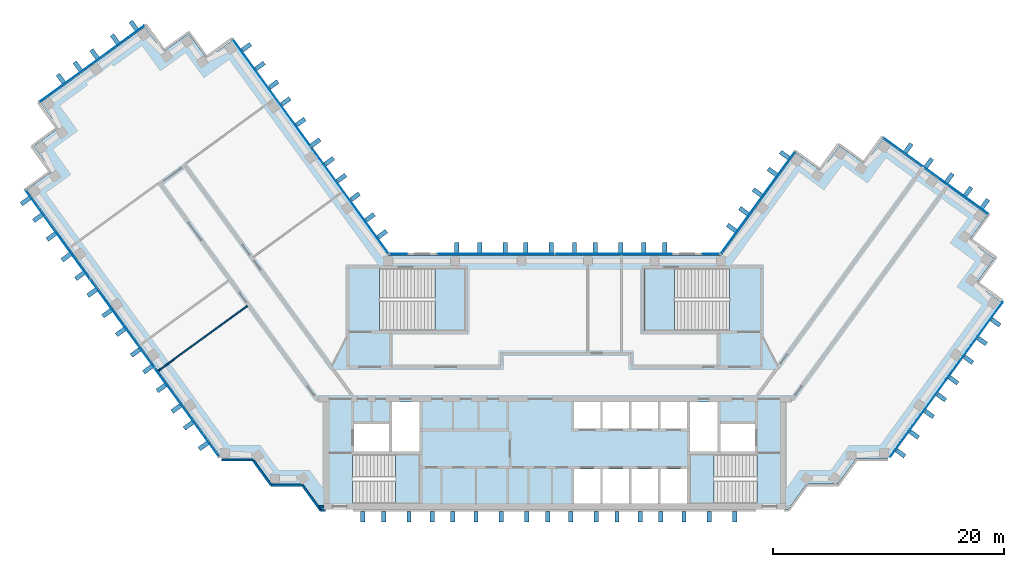
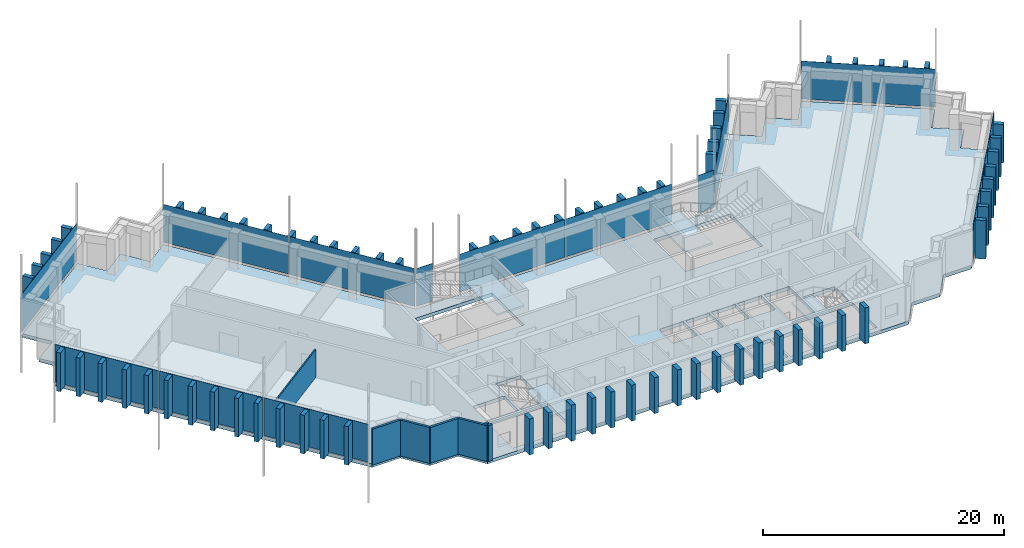
"""IFC4 building model written with IfcOpenShell, lengths in metres."""

from ifc_helpers import new_model, si_unit, direction, frame, frame_2d, origin, origin_2d, place, context, subcontext, project, spatial, polyline, rectangle, outline, extrude, material, layer, layer_set, type_object, element, aggregate, save


model = new_model("IFC4")

# Units and contexts
model_context = context("Model", 3, precision=1e-05, world=origin(), true_north=direction((0.0, 1.0)))
body_context = subcontext(model_context, "Body", "Model", "MODEL_VIEW")
ifc_project = project(units=[si_unit("LENGTHUNIT", "METRE"), si_unit("AREAUNIT", "SQUARE_METRE"), si_unit("VOLUMEUNIT", "CUBIC_METRE"), si_unit("PLANEANGLEUNIT", "RADIAN"), si_unit("MASSUNIT", "GRAM", prefix="KILO")], contexts=[model_context])

# Site, building, storey
site_placement = place(None, origin())
site = spatial("IfcSite", under=ifc_project, at=site_placement, CompositionType="ELEMENT")
building_placement = place(site_placement, origin())
building = spatial("IfcBuilding", under=site, at=building_placement, Name="Quipu Civic Tower", CompositionType="ELEMENT")
storey_1_placement = place(building_placement, frame((0.0, 0.0, 222.0)))
storey_1 = spatial("IfcBuildingStorey", under=building, at=storey_1_placement, Name="L52", CompositionType="ELEMENT", Elevation=222.0)

# Slab
ifc_material_1 = material(Name="Concrete C40/50", Category="concrete")
ifc_layer_1 = layer(ifc_material_1, 0.35009765625)
ifc_layer_set_1 = layer_set([ifc_layer_1], Name="Concrete C40/50")
slab_type_1 = type_object("IfcSlabType", Name="Floor slab 350 C40/50", PredefinedType="FLOOR", material=ifc_layer_set_1)
slab_1_placement = place(storey_1_placement, frame((0.0, 0.0, -0.35009765625)))
element("IfcSlab", 1, at=slab_1_placement, inside=storey_1, type_object=slab_type_1, Name="Floor slab L52", PredefinedType="FLOOR", context=body_context, shape_type="SweptSolid", body=[
    extrude(outline(polyline([(20.860107421875, 19.89501953125), (23.0400390625, 18.31005859375), (24.6298828125, 20.4951171875), (26.81494140625, 18.905029296875), (28.39990234375, 21.090087890625), (37.4599609375, 14.5048828125), (35.875, 12.320068359375), (38.06005859375, 10.735107421875), (36.469970703125, 8.550048828125), (38.655029296875, 6.965087890625), (28.780029296875, -6.6298828125), (26.080078125, -6.6298828125), (24.489990234375, -8.81494140625), (21.7900390625, -8.81494140625), (20.205078125, -11.0), (-20.205078125, -11.0), (-21.7900390625, -8.81494140625), (-24.489990234375, -8.81494140625), (-26.080078125, -6.6298828125), (-28.780029296875, -6.6298828125), (-45.7099609375, 16.669921875), (-43.52490234375, 18.260009765625), (-45.114990234375, 20.445068359375), (-42.929931640625, 22.030029296875), (-44.514892578125, 24.215087890625), (-35.455078125, 30.800048828125), (-33.864990234375, 28.614990234375), (-31.68505859375, 30.199951171875), (-30.094970703125, 28.014892578125), (-27.909912109375, 29.60498046875), (-14.39501953125, 11.0), (14.39501953125, 11.0), (20.860107421875, 19.89501953125)]), holes=[polyline([(1.64990234375, -7.5), (1.64990234375, -10.5), (3.949951171875, -10.5), (3.949951171875, -7.5), (1.64990234375, -7.5)]), polyline([(4.14990234375, -7.5), (4.14990234375, -10.5), (6.449951171875, -10.5), (6.449951171875, -7.5), (4.14990234375, -7.5)]), polyline([(-11.705078125, -6.2548828125), (-17.4951171875, -6.2548828125), (-17.4951171875, -10.4951171875), (-11.705078125, -10.4951171875), (-11.705078125, -6.2548828125)]), polyline([(-17.35009765625, -3.60009765625), (-17.35009765625, -6.0), (-14.35009765625, -6.0), (-14.35009765625, -3.60009765625), (-17.35009765625, -3.60009765625)]), polyline([(-14.10009765625, -1.699951171875), (-14.10009765625, -6.0), (-11.699951171875, -6.0), (-11.699951171875, -1.699951171875), (-14.10009765625, -1.699951171875)]), polyline([(1.64990234375, -1.699951171875), (1.64990234375, -4.0), (3.949951171875, -4.0), (3.949951171875, -1.699951171875), (1.64990234375, -1.699951171875)]), polyline([(4.14990234375, -1.699951171875), (4.14990234375, -4.0), (6.449951171875, -4.0), (6.449951171875, -1.699951171875), (4.14990234375, -1.699951171875)]), polyline([(-7.7548828125, 9.844970703125), (-15.14501953125, 9.844970703125), (-15.14501953125, 4.5048828125), (-7.7548828125, 4.5048828125), (-7.7548828125, 9.844970703125)]), polyline([(6.64990234375, -7.5), (6.64990234375, -10.5), (8.949951171875, -10.5), (8.949951171875, -7.5), (6.64990234375, -7.5)]), polyline([(9.14990234375, -7.5), (9.14990234375, -10.5), (11.449951171875, -10.5), (11.449951171875, -7.5), (9.14990234375, -7.5)]), polyline([(11.705078125, -10.4951171875), (17.4951171875, -10.4951171875), (17.4951171875, -6.2548828125), (11.705078125, -6.2548828125), (11.705078125, -10.4951171875)]), polyline([(14.35009765625, -3.60009765625), (14.35009765625, -6.0), (17.35009765625, -6.0), (17.35009765625, -3.60009765625), (14.35009765625, -3.60009765625)]), polyline([(11.699951171875, -1.699951171875), (11.699951171875, -6.0), (14.10009765625, -6.0), (14.10009765625, -1.699951171875), (11.699951171875, -1.699951171875)]), polyline([(6.64990234375, -1.699951171875), (6.64990234375, -4.0), (8.949951171875, -4.0), (8.949951171875, -1.699951171875), (6.64990234375, -1.699951171875)]), polyline([(9.14990234375, -1.699951171875), (9.14990234375, -4.0), (11.449951171875, -4.0), (11.449951171875, -1.699951171875), (9.14990234375, -1.699951171875)]), polyline([(7.7548828125, 4.5048828125), (15.14501953125, 4.5048828125), (15.14501953125, 9.844970703125), (7.7548828125, 9.844970703125), (7.7548828125, 4.5048828125)])]), origin(), (0.0, 0.0, 1.0), 0.35009765625),
])

# Curtain wall, plates
ifc_material_2 = material(Name="Insulated glass unit", Category="glass")
curtain_wall_type = type_object("IfcCurtainWallType", Name="Office curtain wall CW1", PredefinedType="NOTDEFINED", material=ifc_material_2)
curtain_wall_1_placement = place(storey_1_placement, origin())
curtain_wall_1 = element("IfcCurtainWall", 2, at=curtain_wall_1_placement, inside=storey_1, type_object=curtain_wall_type, Name="Office curtain wall CW1 L51 run 1", PredefinedType="NOTDEFINED")
ifc_material_3 = material(Name="Insulated glass unit", Category="glass")
ifc_layer_2 = layer(ifc_material_3, 0.028076171875)
ifc_layer_set_2 = layer_set([ifc_layer_2], Name="Insulated glass unit")
plate_type_1 = type_object("IfcPlateType", Name="Glass panel CW1", PredefinedType="CURTAIN_PANEL", material=ifc_layer_set_2)
plate_1_placement = place(storey_1_placement, frame((-17.7421875, 15.777099609375, 0.16015625), z_axis=(0.0, 0.0, 1.0), x_axis=(-0.587788727052, 0.809014469803, 0.0)))
plate_1 = element("IfcPlate", 3, at=plate_1_placement, type_object=plate_type_1, Name="CW1 panel 1.2", PredefinedType="CURTAIN_PANEL", context=body_context, shape_type="SweptSolid", body=[
    extrude(rectangle(XDim=11.402099609375, YDim=0.028076171875, at=origin_2d()), origin(), (0.0, 0.0, 1.0), 3.840087890625),
])
plate_2_placement = place(storey_1_placement, frame((-24.491455078125, 25.066162109375, 0.16015625), z_axis=(0.0, 0.0, 1.0), x_axis=(-0.587788727052, 0.809014469803, 0.0)))
plate_2 = element("IfcPlate", 4, at=plate_2_placement, type_object=plate_type_1, Name="CW1 panel 2.2", PredefinedType="CURTAIN_PANEL", context=body_context, shape_type="SweptSolid", body=[
    extrude(rectangle(XDim=11.402099609375, YDim=0.028076171875, at=origin_2d()), origin(), (0.0, 0.0, 1.0), 3.840087890625),
])
aggregate(curtain_wall_1, [plate_1, plate_2])

# Curtain wall, plate
curtain_wall_2_placement = place(storey_1_placement, origin())
curtain_wall_2 = element("IfcCurtainWall", 5, at=curtain_wall_2_placement, inside=storey_1, type_object=curtain_wall_type, Name="Office curtain wall CW1 L51 run 6", PredefinedType="NOTDEFINED")
plate_3_placement = place(storey_1_placement, frame((-40.04345703125, 27.58740234375, 0.16015625), z_axis=(0.0, 0.0, 1.0), x_axis=(-0.809015176832, -0.587787753918, 0.0)))
plate_3 = element("IfcPlate", 6, at=plate_3_placement, type_object=plate_type_1, Name="CW1 panel 1.2", PredefinedType="CURTAIN_PANEL", context=body_context, shape_type="SweptSolid", body=[
    extrude(rectangle(XDim=11.239990234375, YDim=0.028076171875, at=origin_2d()), origin(), (0.0, 0.0, 1.0), 3.840087890625),
])
aggregate(curtain_wall_2, [plate_3])

# Curtain wall, plates
curtain_wall_3_placement = place(storey_1_placement, origin())
curtain_wall_3 = element("IfcCurtainWall", 7, at=curtain_wall_3_placement, inside=storey_1, type_object=curtain_wall_type, Name="Office curtain wall CW1 L51 run 11", PredefinedType="NOTDEFINED")
plate_4_placement = place(storey_1_placement, frame((-43.030517578125, 12.814208984375, 0.16015625), z_axis=(0.0, 0.0, 1.0), x_axis=(0.5877856923, -0.80901667469, 0.0)))
plate_4 = element("IfcPlate", 8, at=plate_4_placement, type_object=plate_type_1, Name="CW1 panel 1.2", PredefinedType="CURTAIN_PANEL", context=body_context, shape_type="SweptSolid", body=[
    extrude(rectangle(XDim=9.43212890625, YDim=0.028076171875, at=origin_2d()), origin(), (0.0, 0.0, 1.0), 3.840087890625),
])
plate_5_placement = place(storey_1_placement, frame((-37.427734375, 5.102783203125, 0.16015625), z_axis=(0.0, 0.0, 1.0), x_axis=(0.5877856923, -0.80901667469, 0.0)))
plate_5 = element("IfcPlate", 9, at=plate_5_placement, type_object=plate_type_1, Name="CW1 panel 2.2", PredefinedType="CURTAIN_PANEL", context=body_context, shape_type="SweptSolid", body=[
    extrude(rectangle(XDim=9.471923828125, YDim=0.028076171875, at=origin_2d()), origin(), (0.0, 0.0, 1.0), 3.840087890625),
])
plate_6_placement = place(storey_1_placement, frame((-31.824951171875, -2.60888671875, 0.16015625), z_axis=(0.0, 0.0, 1.0), x_axis=(0.5877856923, -0.80901667469, 0.0)))
plate_6 = element("IfcPlate", 10, at=plate_6_placement, type_object=plate_type_1, Name="CW1 panel 3.2", PredefinedType="CURTAIN_PANEL", context=body_context, shape_type="SweptSolid", body=[
    extrude(rectangle(XDim=9.43212890625, YDim=0.028076171875, at=origin_2d()), origin(), (0.0, 0.0, 1.0), 3.840087890625),
])
aggregate(curtain_wall_3, [plate_4, plate_5, plate_6])

# Curtain wall, plate
curtain_wall_4_placement = place(storey_1_placement, origin())
curtain_wall_4 = element("IfcCurtainWall", 11, at=curtain_wall_4_placement, inside=storey_1, type_object=curtain_wall_type, Name="Office curtain wall CW1 L51 run 21", PredefinedType="NOTDEFINED")
plate_7_placement = place(storey_1_placement, frame((32.989990234375, 17.87939453125, 0.16015625), z_axis=(0.0, 0.0, 1.0), x_axis=(-0.809015176832, 0.587787753918, 0.0)))
plate_7 = element("IfcPlate", 12, at=plate_7_placement, type_object=plate_type_1, Name="CW1 panel 1.2", PredefinedType="CURTAIN_PANEL", context=body_context, shape_type="SweptSolid", body=[
    extrude(rectangle(XDim=11.239990234375, YDim=0.028076171875, at=origin_2d()), origin(), (0.0, 0.0, 1.0), 3.840087890625),
])
aggregate(curtain_wall_4, [plate_7])

curtain_wall_5_placement = place(storey_1_placement, origin())
curtain_wall_5 = element("IfcCurtainWall", 13, at=curtain_wall_5_placement, inside=storey_1, type_object=curtain_wall_type, Name="Office curtain wall CW1 L51 run 26", PredefinedType="NOTDEFINED")
plate_8_placement = place(storey_1_placement, frame((17.590087890625, 15.5673828125, 0.16015625), z_axis=(0.0, 0.0, 1.0), x_axis=(-0.587787771652, -0.809015163947, 0.0)))
plate_8 = element("IfcPlate", 14, at=plate_8_placement, type_object=plate_type_1, Name="CW1 panel 1.2", PredefinedType="CURTAIN_PANEL", context=body_context, shape_type="SweptSolid", body=[
    extrude(rectangle(XDim=10.88427734375, YDim=0.028076171875, at=origin_2d()), origin(), (0.0, 0.0, 1.0), 3.840087890625),
])
aggregate(curtain_wall_5, [plate_8])

curtain_wall_6_placement = place(storey_1_placement, origin())
curtain_wall_6 = element("IfcCurtainWall", 15, at=curtain_wall_6_placement, inside=storey_1, type_object=curtain_wall_type, Name="Office curtain wall CW1 L51 run 27", PredefinedType="NOTDEFINED")
plate_9_placement = place(storey_1_placement, frame((13.49951171875, 11.10009765625, 0.16015625), z_axis=(0.0, 0.0, 1.0), x_axis=(-1.0, 0.0, 0.0)))
plate_9 = element("IfcPlate", 16, at=plate_9_placement, type_object=plate_type_1, Name="CW1 panel 1.2", PredefinedType="CURTAIN_PANEL", context=body_context, shape_type="SweptSolid", body=[
    extrude(rectangle(XDim=1.529296875, YDim=0.028076171875, at=origin_2d()), origin(), (0.0, 0.0, 1.0), 3.840087890625),
])
aggregate(curtain_wall_6, [plate_9])

# Curtain wall, plates
curtain_wall_7_placement = place(storey_1_placement, origin())
curtain_wall_7 = element("IfcCurtainWall", 17, at=curtain_wall_7_placement, inside=storey_1, type_object=curtain_wall_type, Name="Office curtain wall CW1 L51 run 29", PredefinedType="NOTDEFINED")
plate_10_placement = place(storey_1_placement, frame((5.11181640625, 11.10009765625, 0.16015625), z_axis=(0.0, 0.0, 1.0), x_axis=(-1.0, 0.0, 0.0)))
plate_10 = element("IfcPlate", 18, at=plate_10_placement, type_object=plate_type_1, Name="CW1 panel 1.2", PredefinedType="CURTAIN_PANEL", context=body_context, shape_type="SweptSolid", body=[
    extrude(rectangle(XDim=10.1435546875, YDim=0.028076171875, at=origin_2d()), origin(), (0.0, 0.0, 1.0), 3.840087890625),
])
plate_11_placement = place(storey_1_placement, frame((-5.11181640625, 11.10009765625, 0.16015625), z_axis=(0.0, 0.0, 1.0), x_axis=(-1.0, 0.0, 0.0)))
plate_11 = element("IfcPlate", 19, at=plate_11_placement, type_object=plate_type_1, Name="CW1 panel 2.2", PredefinedType="CURTAIN_PANEL", context=body_context, shape_type="SweptSolid", body=[
    extrude(rectangle(XDim=10.1435546875, YDim=0.028076171875, at=origin_2d()), origin(), (0.0, 0.0, 1.0), 3.840087890625),
])
aggregate(curtain_wall_7, [plate_10, plate_11])

# Curtain wall, plate
curtain_wall_8_placement = place(storey_1_placement, origin())
curtain_wall_8 = element("IfcCurtainWall", 20, at=curtain_wall_8_placement, inside=storey_1, type_object=curtain_wall_type, Name="Office curtain wall CW1 L51 run 31", PredefinedType="NOTDEFINED")
plate_12_placement = place(storey_1_placement, frame((-13.49951171875, 11.10009765625, 0.16015625), z_axis=(0.0, 0.0, 1.0), x_axis=(-1.0, 0.0, 0.0)))
plate_12 = element("IfcPlate", 21, at=plate_12_placement, type_object=plate_type_1, Name="CW1 panel 1.2", PredefinedType="CURTAIN_PANEL", context=body_context, shape_type="SweptSolid", body=[
    extrude(rectangle(XDim=1.529296875, YDim=0.028076171875, at=origin_2d()), origin(), (0.0, 0.0, 1.0), 3.840087890625),
])
aggregate(curtain_wall_8, [plate_12])

# Storey
storey_2_placement = place(building_placement, frame((0.0, 0.0, 226.0)))
storey_2 = spatial("IfcBuildingStorey", under=building, at=storey_2_placement, Name="L53", CompositionType="ELEMENT", Elevation=226.0)

# Curtain wall, plates
curtain_wall_9_placement = place(storey_2_placement, origin())
curtain_wall_9 = element("IfcCurtainWall", 22, at=curtain_wall_9_placement, inside=storey_2, type_object=curtain_wall_type, Name="Office curtain wall CW1 L52 run 4", PredefinedType="NOTDEFINED")
plate_13_placement = place(storey_1_placement, frame((31.465087890625, -3.10400390625, 0.240234375), z_axis=(0.0, 0.0, 1.0), x_axis=(0.58778680192, 0.809015868502, 0.0)))
plate_13 = element("IfcPlate", 23, at=plate_13_placement, inside=storey_1, type_object=plate_type_1, Name="CW1 panel 1.1", PredefinedType="CURTAIN_PANEL", context=body_context, shape_type="SweptSolid", body=[
    extrude(rectangle(XDim=8.2080078125, YDim=0.028076171875, at=origin_2d()), origin(), (0.0, 0.0, 1.0), 3.760009765625),
])
plate_14_placement = place(storey_1_placement, frame((36.3369140625, 3.60107421875, 0.240234375), z_axis=(0.0, 0.0, 1.0), x_axis=(0.58778680192, 0.809015868502, 0.0)))
plate_14 = element("IfcPlate", 24, at=plate_14_placement, inside=storey_1, type_object=plate_type_1, Name="CW1 panel 2.1", PredefinedType="CURTAIN_PANEL", context=body_context, shape_type="SweptSolid", body=[
    extrude(rectangle(XDim=8.2080078125, YDim=0.028076171875, at=origin_2d()), origin(), (0.0, 0.0, 1.0), 3.760009765625),
])
aggregate(curtain_wall_9, [plate_13, plate_14])

# Plates
ifc_material_4 = material(Name="Precast concrete C40/50", Category="concrete")
plate_type_2 = type_object("IfcPlateType", Name="Precast fin F2", PredefinedType="SHEET", material=ifc_material_4)
for number, where, z_axis, x_axis, name in (
    (25, (-14.92138671875, 12.830078125, 0.080078125), (0.0, 0.0, 1.0), (-0.587787133119, 0.809015627871, 0.0), "Precast fin F2 L52.P04.1"),
    (26, (-15.9794921875, 14.286376953125, 0.080078125), (0.0, 0.0, 1.0), (-0.587787133119, 0.809015627871, 0.0), "Precast fin F2 L52.P04.2"),
    (27, (-17.272705078125, 16.066162109375, 0.080078125), (0.0, 0.0, 1.0), (-0.587787133119, 0.809015627871, 0.0), "Precast fin F2 L52.P04.3"),
    (28, (-18.4482421875, 17.684326171875, 0.080078125), (0.0, 0.0, 1.0), (-0.587787133119, 0.809015627871, 0.0), "Precast fin F2 L52.P04.4"),
    (29, (-19.506103515625, 19.140625, 0.080078125), (0.0, 0.0, 1.0), (-0.587787133119, 0.809015627871, 0.0), "Precast fin F2 L52.P04.5"),
    (30, (-20.681884765625, 20.758544921875, 0.080078125), (0.0, 0.0, 1.0), (-0.587787133119, 0.809015627871, 0.0), "Precast fin F2 L52.P04.6"),
    (31, (-21.974853515625, 22.538330078125, 0.080078125), (0.0, 0.0, 1.0), (-0.587787133119, 0.809015627871, 0.0), "Precast fin F2 L52.P04.7"),
    (32, (-23.26806640625, 24.318115234375, 0.080078125), (0.0, 0.0, 1.0), (-0.587787133119, 0.809015627871, 0.0), "Precast fin F2 L52.P04.8"),
    (33, (-24.326171875, 25.7744140625, 0.080078125), (0.0, 0.0, 1.0), (-0.587787133119, 0.809015627871, 0.0), "Precast fin F2 L52.P04.9"),
    (34, (-25.501708984375, 27.392578125, 0.080078125), (0.0, 0.0, 1.0), (-0.587787133119, 0.809015627871, 0.0), "Precast fin F2 L52.P04.10"),
    (35, (-26.67724609375, 29.010498046875, 0.080078125), (0.0, 0.0, 1.0), (-0.587787133119, 0.809015627871, 0.0), "Precast fin F2 L52.P04.11"),
    (36, (-36.434814453125, 30.88916015625, 0.080078125), (0.0, 0.0, 1.0), (-0.809017072762, -0.587785144401, 0.0), "Precast fin F2 L52.P09.1"),
    (37, (-38.052978515625, 29.713623046875, 0.080078125), (0.0, 0.0, 1.0), (-0.809017072762, -0.587785144401, 0.0), "Precast fin F2 L52.P09.2"),
    (38, (-39.832763671875, 28.42041015625, 0.080078125), (0.0, 0.0, 1.0), (-0.809017072762, -0.587785144401, 0.0), "Precast fin F2 L52.P09.3"),
    (39, (-41.2890625, 27.3623046875, 0.080078125), (0.0, 0.0, 1.0), (-0.809017072762, -0.587785144401, 0.0), "Precast fin F2 L52.P09.4"),
    (40, (-42.745361328125, 26.304443359375, 0.080078125), (0.0, 0.0, 1.0), (-0.809017072762, -0.587785144401, 0.0), "Precast fin F2 L52.P09.5"),
    (41, (-45.80078125, 15.69140625, 0.080078125), (0.0, 0.0, 1.0), (0.587785620359, -0.809016726959, 0.0), "Precast fin F2 L52.P14.1"),
    (42, (-44.74267578125, 14.2353515625, 0.080078125), (0.0, 0.0, 1.0), (0.587785620359, -0.809016726959, 0.0), "Precast fin F2 L52.P14.2"),
    (43, (-43.567138671875, 12.6171875, 0.080078125), (0.0, 0.0, 1.0), (0.587785620359, -0.809016726959, 0.0), "Precast fin F2 L52.P14.3"),
    (44, (-42.27392578125, 10.83740234375, 0.080078125), (0.0, 0.0, 1.0), (0.587785620359, -0.809016726959, 0.0), "Precast fin F2 L52.P14.4"),
    (45, (-41.098388671875, 9.21923828125, 0.080078125), (0.0, 0.0, 1.0), (0.587785620359, -0.809016726959, 0.0), "Precast fin F2 L52.P14.5"),
    (46, (-40.040283203125, 7.76318359375, 0.080078125), (0.0, 0.0, 1.0), (0.587785620359, -0.809016726959, 0.0), "Precast fin F2 L52.P14.6"),
    (47, (-38.747314453125, 5.983154296875, 0.080078125), (0.0, 0.0, 1.0), (0.587785620359, -0.809016726959, 0.0), "Precast fin F2 L52.P14.7"),
    (48, (-37.57177734375, 4.365234375, 0.080078125), (0.0, 0.0, 1.0), (0.587785620359, -0.809016726959, 0.0), "Precast fin F2 L52.P14.8"),
    (49, (-36.278564453125, 2.58544921875, 0.080078125), (0.0, 0.0, 1.0), (0.587785620359, -0.809016726959, 0.0), "Precast fin F2 L52.P14.9"),
    (50, (-35.220458984375, 1.129150390625, 0.080078125), (0.0, 0.0, 1.0), (0.587785620359, -0.809016726959, 0.0), "Precast fin F2 L52.P14.10"),
    (51, (-34.044921875, -0.48876953125, 0.080078125), (0.0, 0.0, 1.0), (0.587785620359, -0.809016726959, 0.0), "Precast fin F2 L52.P14.11"),
    (52, (-32.751953125, -2.268798828125, 0.080078125), (0.0, 0.0, 1.0), (0.587785620359, -0.809016726959, 0.0), "Precast fin F2 L52.P14.12"),
    (53, (-31.69384765625, -3.724853515625, 0.080078125), (0.0, 0.0, 1.0), (0.587785620359, -0.809016726959, 0.0), "Precast fin F2 L52.P14.13"),
    (54, (-30.400634765625, -5.5048828125, 0.080078125), (0.0, 0.0, 1.0), (0.587785620359, -0.809016726959, 0.0), "Precast fin F2 L52.P14.14"),
):
    element("IfcPlate", number, at=place(storey_1_placement, frame(where, z_axis=z_axis, x_axis=x_axis)), inside=storey_1, type_object=plate_type_2, Name=name, PredefinedType="SHEET", context=body_context, shape_type="SweptSolid", body=[
        extrude(rectangle(XDim=0.3798828125, YDim=0.89990234375, at=origin_2d()), origin(), (0.0, 0.0, 1.0), 3.919921875),
    ])
for number, where, z_axis, x_axis, name in (
    (55, (-16.610107421875, -11.637939453125, 0.0), (0.0, 0.0, 1.0), (1.0, 0.0, 0.0), "Precast fin F2 L52.P21.1"),
    (56, (-14.81005859375, -11.637939453125, 0.0), (0.0, 0.0, 1.0), (1.0, 0.0, 0.0), "Precast fin F2 L52.P21.2"),
    (57, (-12.610107421875, -11.637939453125, 0.0), (0.0, 0.0, 1.0), (1.0, 0.0, 0.0), "Precast fin F2 L52.P21.3"),
    (58, (-10.610107421875, -11.637939453125, 0.0), (0.0, 0.0, 1.0), (1.0, 0.0, 0.0), "Precast fin F2 L52.P21.4"),
    (59, (-8.81005859375, -11.637939453125, 0.0), (0.0, 0.0, 1.0), (1.0, 0.0, 0.0), "Precast fin F2 L52.P21.5"),
    (60, (-6.81005859375, -11.637939453125, 0.0), (0.0, 0.0, 1.0), (1.0, 0.0, 0.0), "Precast fin F2 L52.P21.6"),
    (61, (-4.610107421875, -11.637939453125, 0.0), (0.0, 0.0, 1.0), (1.0, 0.0, 0.0), "Precast fin F2 L52.P21.7"),
    (62, (-2.409912109375, -11.637939453125, 0.0), (0.0, 0.0, 1.0), (1.0, 0.0, 0.0), "Precast fin F2 L52.P21.8"),
    (63, (-0.610107421875, -11.637939453125, 0.0), (0.0, 0.0, 1.0), (1.0, 0.0, 0.0), "Precast fin F2 L52.P21.9"),
    (64, (1.389892578125, -11.637939453125, 0.0), (0.0, 0.0, 1.0), (1.0, 0.0, 0.0), "Precast fin F2 L52.P21.10"),
    (65, (3.590087890625, -11.637939453125, 0.0), (0.0, 0.0, 1.0), (1.0, 0.0, 0.0), "Precast fin F2 L52.P21.11"),
    (66, (5.389892578125, -11.637939453125, 0.0), (0.0, 0.0, 1.0), (1.0, 0.0, 0.0), "Precast fin F2 L52.P21.12"),
    (67, (7.389892578125, -11.637939453125, 0.0), (0.0, 0.0, 1.0), (1.0, 0.0, 0.0), "Precast fin F2 L52.P21.13"),
    (68, (9.18994140625, -11.637939453125, 0.0), (0.0, 0.0, 1.0), (1.0, 0.0, 0.0), "Precast fin F2 L52.P21.14"),
    (69, (11.18994140625, -11.637939453125, 0.0), (0.0, 0.0, 1.0), (1.0, 0.0, 0.0), "Precast fin F2 L52.P21.15"),
    (70, (13.389892578125, -11.637939453125, 0.0), (0.0, 0.0, 1.0), (1.0, 0.0, 0.0), "Precast fin F2 L52.P21.16"),
    (71, (15.590087890625, -11.637939453125, 0.0), (0.0, 0.0, 1.0), (1.0, 0.0, 0.0), "Precast fin F2 L52.P21.17"),
):
    element("IfcPlate", number, at=place(storey_1_placement, frame(where, z_axis=z_axis, x_axis=x_axis)), inside=storey_1, type_object=plate_type_2, Name=name, PredefinedType="SHEET", context=body_context, shape_type="SweptSolid", body=[
        extrude(rectangle(XDim=0.3798828125, YDim=0.89990234375, at=origin_2d()), origin(), (0.0, 0.0, 1.0), 3.64990234375),
    ])
for number, where, z_axis, x_axis, name in (
    (72, (37.2451171875, 15.467529296875, 0.080078125), (0.0, 0.0, 1.0), (-0.809017072762, 0.587785144401, 0.0), "Precast fin F2 L52.P25.1"),
    (73, (35.7890625, 16.525634765625, 0.080078125), (0.0, 0.0, 1.0), (-0.809017072762, 0.587785144401, 0.0), "Precast fin F2 L52.P25.2"),
    (74, (34.1708984375, 17.701171875, 0.080078125), (0.0, 0.0, 1.0), (-0.809017072762, 0.587785144401, 0.0), "Precast fin F2 L52.P25.3"),
    (75, (32.39111328125, 18.994384765625, 0.080078125), (0.0, 0.0, 1.0), (-0.809017072762, 0.587785144401, 0.0), "Precast fin F2 L52.P25.4"),
    (76, (30.611328125, 20.287353515625, 0.080078125), (0.0, 0.0, 1.0), (-0.809017072762, 0.587785144401, 0.0), "Precast fin F2 L52.P25.5"),
    (77, (19.897216796875, 19.6787109375, 0.080078125), (0.0, 0.0, 1.0), (-0.58778443384, -0.809017589015, 0.0), "Precast fin F2 L52.P30.1"),
    (78, (18.839111328125, 18.222412109375, 0.080078125), (0.0, 0.0, 1.0), (-0.58778443384, -0.809017589015, 0.0), "Precast fin F2 L52.P30.2"),
    (79, (17.546142578125, 16.442626953125, 0.080078125), (0.0, 0.0, 1.0), (-0.58778443384, -0.809017589015, 0.0), "Precast fin F2 L52.P30.3"),
    (80, (16.370361328125, 14.824462890625, 0.080078125), (0.0, 0.0, 1.0), (-0.58778443384, -0.809017589015, 0.0), "Precast fin F2 L52.P30.4"),
    (81, (15.3125, 13.368408203125, 0.080078125), (0.0, 0.0, 1.0), (-0.58778443384, -0.809017589015, 0.0), "Precast fin F2 L52.P30.5"),
    (82, (9.510009765625, 11.64990234375, 0.080078125), (0.0, 0.0, 1.0), (-1.0, 0.0, 0.0), "Precast fin F2 L52.P33.1"),
    (83, (7.7099609375, 11.64990234375, 0.080078125), (0.0, 0.0, 1.0), (-1.0, 0.0, 0.0), "Precast fin F2 L52.P33.2"),
    (84, (5.7099609375, 11.64990234375, 0.080078125), (0.0, 0.0, 1.0), (-1.0, 0.0, 0.0), "Precast fin F2 L52.P33.3"),
    (85, (3.510009765625, 11.64990234375, 0.080078125), (0.0, 0.0, 1.0), (-1.0, 0.0, 0.0), "Precast fin F2 L52.P33.4"),
    (86, (1.7099609375, 11.64990234375, 0.080078125), (0.0, 0.0, 1.0), (-1.0, 0.0, 0.0), "Precast fin F2 L52.P33.5"),
    (87, (-0.2900390625, 11.64990234375, 0.080078125), (0.0, 0.0, 1.0), (-1.0, 0.0, 0.0), "Precast fin F2 L52.P33.6"),
    (88, (-2.489990234375, 11.64990234375, 0.080078125), (0.0, 0.0, 1.0), (-1.0, 0.0, 0.0), "Precast fin F2 L52.P33.7"),
    (89, (-4.2900390625, 11.64990234375, 0.080078125), (0.0, 0.0, 1.0), (-1.0, 0.0, 0.0), "Precast fin F2 L52.P33.8"),
    (90, (-6.489990234375, 11.64990234375, 0.080078125), (0.0, 0.0, 1.0), (-1.0, 0.0, 0.0), "Precast fin F2 L52.P33.9"),
    (91, (-8.489990234375, 11.64990234375, 0.080078125), (0.0, 0.0, 1.0), (-1.0, 0.0, 0.0), "Precast fin F2 L52.P33.10"),
    (92, (29.943603515625, -6.134033203125, 0.080078125), (0.0, 0.0, 1.0), (0.587786668783, 0.809015965233, 0.0), "Precast fin F2 L52.4.1"),
    (93, (31.119140625, -4.515869140625, 0.080078125), (0.0, 0.0, 1.0), (0.587786668783, 0.809015965233, 0.0), "Precast fin F2 L52.4.2"),
    (94, (32.412353515625, -2.736083984375, 0.080078125), (0.0, 0.0, 1.0), (0.587786668783, 0.809015965233, 0.0), "Precast fin F2 L52.4.3"),
    (95, (33.47021484375, -1.280029296875, 0.080078125), (0.0, 0.0, 1.0), (0.587786668783, 0.809015965233, 0.0), "Precast fin F2 L52.4.4"),
    (96, (34.5283203125, 0.17626953125, 0.080078125), (0.0, 0.0, 1.0), (0.587786668783, 0.809015965233, 0.0), "Precast fin F2 L52.4.5"),
    (97, (35.821533203125, 1.9560546875, 0.080078125), (0.0, 0.0, 1.0), (0.587786668783, 0.809015965233, 0.0), "Precast fin F2 L52.4.6"),
    (98, (36.9970703125, 3.57421875, 0.080078125), (0.0, 0.0, 1.0), (0.587786668783, 0.809015965233, 0.0), "Precast fin F2 L52.4.7"),
    (99, (38.172607421875, 5.192138671875, 0.080078125), (0.0, 0.0, 1.0), (0.587786668783, 0.809015965233, 0.0), "Precast fin F2 L52.4.8"),
):
    element("IfcPlate", number, at=place(storey_1_placement, frame(where, z_axis=z_axis, x_axis=x_axis)), inside=storey_1, type_object=plate_type_2, Name=name, PredefinedType="SHEET", context=body_context, shape_type="SweptSolid", body=[
        extrude(rectangle(XDim=0.3798828125, YDim=0.89990234375, at=origin_2d()), origin(), (0.0, 0.0, 1.0), 3.919921875),
    ])

# Stair, slab
ifc_material_5 = material(Name="Concrete C40/50", Category="concrete")
stair_type_1 = type_object("IfcStairType", Name="Half turn stair 2000", PredefinedType="HALF_TURN_STAIR", material=ifc_material_5)
stair_1_placement = place(storey_1_placement, origin())
stair_1 = element("IfcStair", 100, at=stair_1_placement, inside=storey_1, type_object=stair_type_1, Name="Exit stair 1", PredefinedType="HALF_TURN_STAIR")
ifc_material_6 = material(Name="Concrete C40/50", Category="concrete")
ifc_layer_3 = layer(ifc_material_6, 0.199951171875)
ifc_layer_set_3 = layer_set([ifc_layer_3], Name="Concrete C40/50")
slab_type_2 = type_object("IfcSlabType", Name="Stair landing 200", PredefinedType="LANDING", material=ifc_layer_set_3)
slab_2_placement = place(storey_1_placement, frame((0.0, 0.0, 1.800048828125)))
slab_2 = element("IfcSlab", 101, at=slab_2_placement, type_object=slab_type_2, Name="ST-1 landing 1", PredefinedType="LANDING", context=body_context, shape_type="SweptSolid", body=[
    extrude(outline(polyline([(-13.780029296875, -10.5), (-11.699951171875, -10.5), (-11.699951171875, -6.25), (-13.780029296875, -6.25), (-13.780029296875, -10.5)])), origin(), (0.0, 0.0, 1.0), 0.199951171875),
])
aggregate(stair_1, [slab_2])

stair_2_placement = place(storey_1_placement, origin())
stair_2 = element("IfcStair", 102, at=stair_2_placement, inside=storey_1, type_object=stair_type_1, Name="Exit stair 2", PredefinedType="HALF_TURN_STAIR")
slab_3_placement = place(storey_1_placement, frame((0.0, 0.0, 1.800048828125)))
slab_3 = element("IfcSlab", 103, at=slab_3_placement, type_object=slab_type_2, Name="ST-2 landing 1", PredefinedType="LANDING", context=body_context, shape_type="SweptSolid", body=[
    extrude(outline(polyline([(13.780029296875, -6.25), (11.699951171875, -6.25), (11.699951171875, -10.5), (13.780029296875, -10.5), (13.780029296875, -6.25)])), origin(), (0.0, 0.0, 1.0), 0.199951171875),
])
aggregate(stair_2, [slab_3])

ifc_material_7 = material(Name="Concrete C40/50", Category="concrete")
stair_type_2 = type_object("IfcStairType", Name="Half turn stair 2600", PredefinedType="HALF_TURN_STAIR", material=ifc_material_7)
stair_3_placement = place(storey_1_placement, origin())
stair_3 = element("IfcStair", 104, at=stair_3_placement, inside=storey_1, type_object=stair_type_2, Name="Exit stair 3", PredefinedType="HALF_TURN_STAIR")
slab_4_placement = place(storey_1_placement, frame((0.0, 0.0, 1.800048828125)))
slab_4 = element("IfcSlab", 105, at=slab_4_placement, type_object=slab_type_2, Name="ST-3 landing 1", PredefinedType="LANDING", context=body_context, shape_type="SweptSolid", body=[
    extrude(outline(polyline([(-10.35009765625, 4.5), (-7.75, 4.5), (-7.75, 9.85009765625), (-10.35009765625, 9.85009765625), (-10.35009765625, 4.5)])), origin(), (0.0, 0.0, 1.0), 0.199951171875),
])
aggregate(stair_3, [slab_4])

stair_4_placement = place(storey_1_placement, origin())
stair_4 = element("IfcStair", 106, at=stair_4_placement, inside=storey_1, type_object=stair_type_2, Name="Exit stair 4", PredefinedType="HALF_TURN_STAIR")
slab_5_placement = place(storey_1_placement, frame((0.0, 0.0, 1.800048828125)))
slab_5 = element("IfcSlab", 107, at=slab_5_placement, type_object=slab_type_2, Name="ST-4 landing 1", PredefinedType="LANDING", context=body_context, shape_type="SweptSolid", body=[
    extrude(outline(polyline([(10.35009765625, 9.85009765625), (7.75, 9.85009765625), (7.75, 4.5), (10.35009765625, 4.5), (10.35009765625, 9.85009765625)])), origin(), (0.0, 0.0, 1.0), 0.199951171875),
])
aggregate(stair_4, [slab_5])

# Walls
ifc_material_8 = material(Name="Gypsum plasterboard on light gauge framing")
ifc_layer_4 = layer(ifc_material_8, 0.1201171875)
ifc_layer_set_4 = layer_set([ifc_layer_4], Name="Gypsum plasterboard on light gauge framing")
wall_type_1 = type_object("IfcWallType", Name="Partition 120 plasterboard", PredefinedType="PARTITIONING", material=ifc_layer_set_4)
wall_1_placement = place(storey_1_placement, frame((-26.59521484375, 6.61083984375, 0.0), z_axis=(0.0, 0.0, 1.0), x_axis=(-0.80900684162, -0.587799226107, 0.0)))
element("IfcWall", 108, at=wall_1_placement, inside=storey_1, type_object=wall_type_1, Name="Partition P03", PredefinedType="PARTITIONING", context=body_context, shape_type="SweptSolid", body=[
    extrude(rectangle(XDim=9.550048828125, YDim=0.1201171875, at=frame_2d((4.77490234375, 0.0))), origin(), (0.0, 0.0, 1.0), 2.85009765625),
])
ifc_material_9 = material(Name="Precast concrete C40/50", Category="concrete")
wall_type_2 = type_object("IfcWallType", Name="Precast cladding wall", PredefinedType="SOLIDWALL", material=ifc_material_9)
wall_2_placement = place(storey_1_placement, frame((-28.829833984375, -6.71923828125, 0.0), z_axis=(0.0, 0.0, 1.0), x_axis=(1.0, 0.0, 0.0)))
element("IfcWall", 109, at=wall_2_placement, inside=storey_1, type_object=wall_type_2, Name="Precast cladding wall L52 P15", PredefinedType="SOLIDWALL", context=body_context, shape_type="SweptSolid", body=[
    extrude(rectangle(XDim=2.699951171875, YDim=0.199951171875, at=frame_2d((1.35009765625, 0.0))), origin(), (0.0, 0.0, 1.0), 3.64990234375),
])
wall_3_placement = place(storey_1_placement, frame((-26.1201171875, -6.72412109375, 0.0), z_axis=(0.0, 0.0, 1.0), x_axis=(0.587720002413, -0.809064397168, 0.0)))
element("IfcWall", 110, at=wall_3_placement, inside=storey_1, type_object=wall_type_2, Name="Precast cladding wall L52 P16", PredefinedType="SOLIDWALL", context=body_context, shape_type="SweptSolid", body=[
    extrude(rectangle(XDim=2.7001953125, YDim=0.199951171875, at=frame_2d((1.35009765625, 0.0))), origin(), (0.0, 0.0, 1.0), 3.64990234375),
])
wall_4_placement = place(storey_1_placement, frame((-24.542724609375, -8.90380859375, 0.0), z_axis=(0.0, 0.0, 1.0), x_axis=(1.0, 0.0, 0.0)))
element("IfcWall", 111, at=wall_4_placement, inside=storey_1, type_object=wall_type_2, Name="Precast cladding wall L52 P17", PredefinedType="SOLIDWALL", context=body_context, shape_type="SweptSolid", body=[
    extrude(rectangle(XDim=2.699951171875, YDim=0.199951171875, at=frame_2d((1.35009765625, 0.0))), origin(), (0.0, 0.0, 1.0), 3.64990234375),
])
wall_5_placement = place(storey_1_placement, frame((-21.8330078125, -8.90869140625, 0.0), z_axis=(0.0, 0.0, 1.0), x_axis=(0.587766567315, -0.809030569476, 0.0)))
element("IfcWall", 112, at=wall_5_placement, inside=storey_1, type_object=wall_type_2, Name="Precast cladding wall L52 P18", PredefinedType="SOLIDWALL", context=body_context, shape_type="SweptSolid", body=[
    extrude(rectangle(XDim=2.687744140625, YDim=0.199951171875, at=frame_2d((1.34375, 0.0))), origin(), (0.0, 0.0, 1.0), 3.64990234375),
])
wall_6_placement = place(storey_1_placement, frame((-20.255859375, -11.087890625, 0.0), z_axis=(0.0, 0.0, 1.0), x_axis=(1.0, 0.0, 0.0)))
element("IfcWall", 113, at=wall_6_placement, inside=storey_1, type_object=wall_type_2, Name="Precast cladding wall L52 P19", PredefinedType="SOLIDWALL", context=body_context, shape_type="SweptSolid", body=[
    extrude(rectangle(XDim=0.40576171875, YDim=0.199951171875, at=frame_2d((0.202880859375, 0.0))), origin(), (0.0, 0.0, 1.0), 3.64990234375),
])
wall_7_placement = place(storey_1_placement, frame((-19.97998046875, -10.75, 0.0), z_axis=(0.0, 0.0, 1.0), x_axis=(-1.0, 0.0, 0.0)))
element("IfcWall", 114, at=wall_7_placement, inside=storey_1, type_object=wall_type_2, Name="Precast cladding return L52 W", PredefinedType="SOLIDWALL", context=body_context, shape_type="SweptSolid", body=[
    extrude(rectangle(XDim=0.41650390625, YDim=0.199951171875, at=frame_2d((0.208251953125, 0.0))), origin(), (0.0, 0.0, 1.0), 3.64990234375),
])

save(model, "model.ifc")
